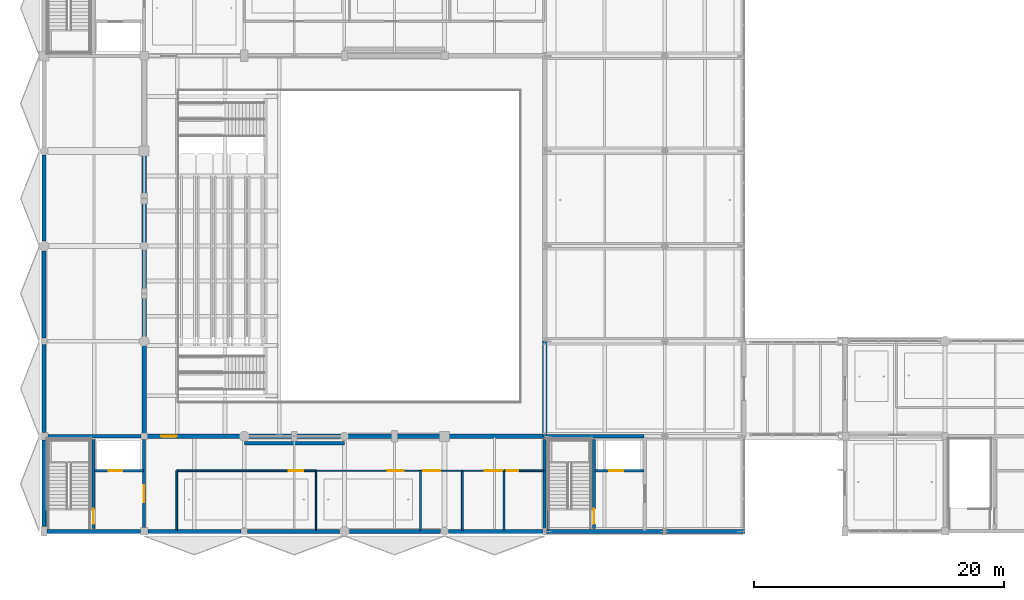
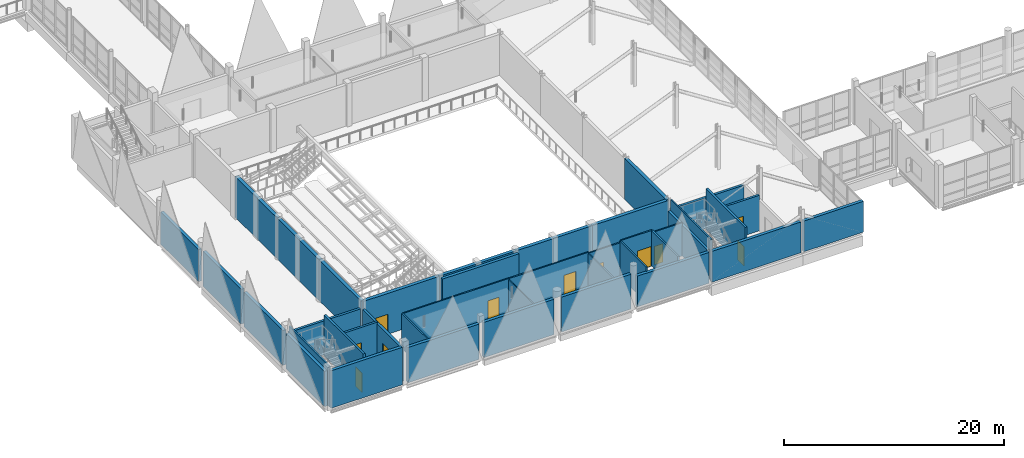
# One storey, part 89 of 141: 40 walls, 11 doors, 11 openings.
"""IFC4 building model written with IfcOpenShell, lengths in metres."""

from ifc_helpers import new_model, si_unit, direction, frame, frame_2d, origin, place, context, subcontext, project, spatial, rectangle, extrude, material, layer, layer_set, type_object, element, fill, save


model = new_model("IFC4")

# Units and contexts
model_context = context("Model", 3, precision=1e-05, world=origin(), true_north=direction((0.0, 1.0)))
body_context = subcontext(model_context, "Body", "Model", "MODEL_VIEW")
ifc_project = project(units=[si_unit("LENGTHUNIT", "METRE"), si_unit("AREAUNIT", "SQUARE_METRE"), si_unit("VOLUMEUNIT", "CUBIC_METRE"), si_unit("PLANEANGLEUNIT", "RADIAN"), si_unit("MASSUNIT", "GRAM", prefix="KILO")], contexts=[model_context])

# Site, building, storey
site_placement = place(None, origin())
site = spatial("IfcSite", under=ifc_project, at=site_placement, CompositionType="ELEMENT")
building_placement = place(site_placement, origin())
building = spatial("IfcBuilding", under=site, at=building_placement, Name="Khelvaren Railside Concert Hall", CompositionType="ELEMENT")
storey_placement = place(building_placement, frame((0.0, 0.0, 10.199951171875)))
storey = spatial("IfcBuildingStorey", under=building, at=storey_placement, Name="L02", CompositionType="ELEMENT", Elevation=10.199951171875)

# Walls
ifc_material_1 = material(Name="Concrete C40/50", Category="concrete")
ifc_layer_1 = layer(ifc_material_1, 0.139892578125)
ifc_layer_set_1 = layer_set([ifc_layer_1], Name="Concrete C40/50")
wall_type_1 = type_object("IfcWallType", Name="CW17", PredefinedType="SOLIDWALL", material=ifc_layer_set_1)
for number, where, z_axis, x_axis, name in (
    (1, (0.27490234375, 0.14990234375, 0.0), (0.0, 0.0, 1.0), (0.0, 1.0, 0.0), "Core Shaft Structural Liner Wall ST-01-L02"),
    (2, (40.27490234375, 0.14990234375, 0.0), (0.0, 0.0, 1.0), (0.0, 1.0, 0.0), "Core Shaft Structural Liner Wall ST-02-L02"),
):
    element("IfcWall", number, at=place(storey_placement, frame(where, z_axis=z_axis, x_axis=x_axis)), inside=storey, type_object=wall_type_1, Name=name, PredefinedType="SOLIDWALL", context=body_context, shape_type="SweptSolid", body=[
        extrude(rectangle(XDim=7.300048828125, YDim=0.139892578125, at=frame_2d((3.64990234375, 0.0))), origin(), (0.0, 0.0, 1.0), 4.52001953125),
    ])
ifc_layer_2 = layer(ifc_material_1, 0.25)
ifc_layer_set_2 = layer_set([ifc_layer_2], Name="Concrete C40/50")
wall_type_2 = type_object("IfcWallType", Name="CW82", PredefinedType="SOLIDWALL", material=ifc_layer_set_2)
wall_1_placement = place(storey_placement, frame((0.300048828125, 7.60009765625, 0.0), z_axis=(0.0, 0.0, 1.0), x_axis=(1.0, 0.0, 0.0)))
element("IfcWall", 3, at=wall_1_placement, inside=storey, type_object=wall_type_2, Name="Core Enclosure Wall CWALL-ST-01-L02-N", PredefinedType="SOLIDWALL", context=body_context, shape_type="SweptSolid", body=[
    extrude(rectangle(XDim=7.449951171875, YDim=0.25, at=frame_2d((3.72509765625, 0.0))), origin(), (0.0, 0.0, 1.0), 3.77001953125),
])

# Wall, opening, door
wall_2_placement = place(storey_placement, frame((8.0, 0.300048828125, 0.0), z_axis=(0.0, 0.0, 1.0), x_axis=(0.0, 1.0, 0.0)))
wall_2 = element("IfcWall", 4, at=wall_2_placement, inside=storey, type_object=wall_type_2, Name="Core Enclosure Wall CWALL-ST-01-L02-E", PredefinedType="SOLIDWALL", context=body_context, shape_type="SweptSolid", body=[
    extrude(rectangle(XDim=7.050048828125, YDim=0.25, at=frame_2d((3.52490234375, 0.0))), origin(), (0.0, 0.0, 1.0), 3.7451171875),
])
opening_1_placement = place(wall_2_placement, frame((2.050048828125, 0.0, 0.0)))
opening_1 = element("IfcOpeningElement", 5, at=opening_1_placement, cuts=wall_2, Name="Opening FDR34", PredefinedType="OPENING", context=body_context, shape_type="SweptSolid", body=[
    extrude(rectangle(XDim=1.35009765625, YDim=2.199951171875, at=frame_2d((0.675048828125, 1.10009765625))), frame((0.0, 0.135009765625, 0.0), z_axis=(0.0, -1.0, 0.0), x_axis=(1.0, 0.0, 0.0)), (0.0, 0.0, 1.0), 0.27001953125),
])
ifc_material_2 = material(Name="Acoustic fire-rated timber-core steel frame door", Category="steel")
door_type_1 = type_object("IfcDoorType", Name="FDR34", OperationType="NOTDEFINED", PredefinedType="DOOR", material=ifc_material_2)
door_1_placement = place(opening_1_placement, origin())
door_1 = element("IfcDoor", 6, at=door_1_placement, inside=storey, type_object=door_type_1, Name="Interior Door DR-ST-01-L02-LOB", OperationType="SINGLE_SWING_LEFT", OverallHeight=2.199951171875, OverallWidth=1.35009765625, PredefinedType="DOOR", context=body_context, shape_type="SweptSolid", body=[
    extrude(rectangle(XDim=1.35009765625, YDim=2.199951171875, at=frame_2d((0.675048828125, 1.10009765625))), frame((0.0, 0.02490234375, 0.0), z_axis=(0.0, -1.0, 0.0), x_axis=(1.0, 0.0, 0.0)), (0.0, 0.0, 1.0), 0.050048828125),
])
fill(opening_1, door_1)

# Walls
wall_3_placement = place(storey_placement, frame((40.0, 0.25, 0.0), z_axis=(0.0, 0.0, 1.0), x_axis=(0.0, 1.0, 0.0)))
element("IfcWall", 7, at=wall_3_placement, inside=storey, type_object=wall_type_2, Name="Core Enclosure Wall CWALL-ST-02-L02-W", PredefinedType="SOLIDWALL", context=body_context, shape_type="SweptSolid", body=[
    extrude(rectangle(XDim=7.10009765625, YDim=0.25, at=frame_2d((3.550048828125, 0.0))), origin(), (0.0, 0.0, 1.0), 3.41015625),
])
wall_4_placement = place(storey_placement, frame((40.14990234375, 7.60009765625, 0.0), z_axis=(0.0, 0.0, 1.0), x_axis=(1.0, 0.0, 0.0)))
element("IfcWall", 8, at=wall_4_placement, inside=storey, type_object=wall_type_2, Name="Core Enclosure Wall CWALL-ST-02-L02-N", PredefinedType="SOLIDWALL", context=body_context, shape_type="SweptSolid", body=[
    extrude(rectangle(XDim=7.77001953125, YDim=0.25, at=frame_2d((3.885009765625, 0.0))), origin(), (0.0, 0.0, 1.0), 3.41015625),
])

# Wall, opening, door
ifc_layer_3 = layer(ifc_material_1, 0.219970703125)
ifc_layer_set_3 = layer_set([ifc_layer_3], Name="Concrete C40/50")
wall_type_3 = type_object("IfcWallType", Name="CW97", PredefinedType="SOLIDWALL", material=ifc_layer_set_3)
wall_5_placement = place(storey_placement, frame((3.949951171875, 0.25, 0.0), z_axis=(0.0, 0.0, 1.0), x_axis=(0.0, 1.0, 0.0)))
wall_5 = element("IfcWall", 9, at=wall_5_placement, inside=storey, type_object=wall_type_3, Name="Core Enclosure Wall CWALL-ST-01-L02-MID", PredefinedType="SOLIDWALL", context=body_context, shape_type="SweptSolid", body=[
    extrude(rectangle(XDim=7.10009765625, YDim=0.219970703125, at=frame_2d((3.550048828125, 0.0))), origin(), (0.0, 0.0, 1.0), 4.52001953125),
])
opening_2_placement = place(wall_5_placement, frame((0.35009765625, 0.0, 0.0)))
opening_2 = element("IfcOpeningElement", 10, at=opening_2_placement, cuts=wall_5, Name="Opening FDR17", PredefinedType="OPENING", context=body_context, shape_type="SweptSolid", body=[
    extrude(rectangle(XDim=1.199951171875, YDim=2.14990234375, at=frame_2d((0.60009765625, 1.074951171875))), frame((0.0, 0.119873046875, 0.0), z_axis=(0.0, -1.0, 0.0), x_axis=(1.0, 0.0, 0.0)), (0.0, 0.0, 1.0), 0.239990234375),
])
door_type_2 = type_object("IfcDoorType", Name="FDR17", OperationType="NOTDEFINED", PredefinedType="DOOR", material=ifc_material_2)
door_2_placement = place(opening_2_placement, origin())
door_2 = element("IfcDoor", 11, at=door_2_placement, inside=storey, type_object=door_type_2, Name="Interior Door DR-ST-01-L02-ST", OperationType="SINGLE_SWING_RIGHT", OverallHeight=2.14990234375, OverallWidth=1.199951171875, PredefinedType="DOOR", context=body_context, shape_type="SweptSolid", body=[
    extrude(rectangle(XDim=1.199951171875, YDim=2.14990234375, at=frame_2d((0.60009765625, 1.074951171875))), frame((0.0, 0.02490234375, 0.0), z_axis=(0.0, -1.0, 0.0), x_axis=(1.0, 0.0, 0.0)), (0.0, 0.0, 1.0), 0.050048828125),
])
fill(opening_2, door_2)

wall_6_placement = place(storey_placement, frame((4.02001953125, 4.85009765625, 0.0), z_axis=(0.0, 0.0, 1.0), x_axis=(1.0, 0.0, 0.0)))
wall_6 = element("IfcWall", 12, at=wall_6_placement, inside=storey, type_object=wall_type_3, Name="Core Enclosure Wall CWALL-ST-01-L02-SHF", PredefinedType="SOLIDWALL", context=body_context, shape_type="SweptSolid", body=[
    extrude(rectangle(XDim=3.929931640625, YDim=0.219970703125, at=frame_2d((1.96484375, 0.0))), origin(), (0.0, 0.0, 1.0), 3.89501953125),
])
opening_3_placement = place(wall_6_placement, frame((1.14990234375, 0.0, 0.0)))
opening_3 = element("IfcOpeningElement", 13, at=opening_3_placement, cuts=wall_6, Name="Opening LD-PL-06", PredefinedType="OPENING", context=body_context, shape_type="SweptSolid", body=[
    extrude(rectangle(XDim=1.10009765625, YDim=2.199951171875, at=frame_2d((0.550048828125, 1.10009765625))), frame((0.0, 0.119873046875, 0.0), z_axis=(0.0, -1.0, 0.0), x_axis=(1.0, 0.0, 0.0)), (0.0, 0.0, 1.0), 0.239990234375),
])
ifc_material_3 = material(Name="Fire-rated brushed stainless steel landing door", Category="steel")
door_type_3 = type_object("IfcDoorType", Name="LD96", OperationType="DOUBLE_DOOR_SLIDING", PredefinedType="DOOR", material=ifc_material_3)
door_3_placement = place(opening_3_placement, origin())
door_3 = element("IfcDoor", 14, at=door_3_placement, inside=storey, type_object=door_type_3, Name="Lift Landing Door LD-PL-06-L02", OperationType="DOUBLE_DOOR_SLIDING", OverallHeight=2.199951171875, OverallWidth=1.10009765625, PredefinedType="DOOR", context=body_context, shape_type="SweptSolid", body=[
    extrude(rectangle(XDim=1.10009765625, YDim=2.199951171875, at=frame_2d((0.550048828125, 1.10009765625))), frame((0.0, 0.02490234375, 0.0), z_axis=(0.0, -1.0, 0.0), x_axis=(1.0, 0.0, 0.0)), (0.0, 0.0, 1.0), 0.050048828125),
])
fill(opening_3, door_3)

wall_7_placement = place(storey_placement, frame((43.949951171875, 0.25, 0.0), z_axis=(0.0, 0.0, 1.0), x_axis=(0.0, 1.0, 0.0)))
wall_7 = element("IfcWall", 15, at=wall_7_placement, inside=storey, type_object=wall_type_3, Name="Core Enclosure Wall CWALL-ST-02-L02-MID", PredefinedType="SOLIDWALL", context=body_context, shape_type="SweptSolid", body=[
    extrude(rectangle(XDim=7.10009765625, YDim=0.219970703125, at=frame_2d((3.550048828125, 0.0))), origin(), (0.0, 0.0, 1.0), 4.52001953125),
])
opening_4_placement = place(wall_7_placement, frame((0.35009765625, 0.0, 0.0)))
opening_4 = element("IfcOpeningElement", 16, at=opening_4_placement, cuts=wall_7, Name="Opening FDR17", PredefinedType="OPENING", context=body_context, shape_type="SweptSolid", body=[
    extrude(rectangle(XDim=1.199951171875, YDim=2.14990234375, at=frame_2d((0.60009765625, 1.074951171875))), frame((0.0, 0.119873046875, 0.0), z_axis=(0.0, -1.0, 0.0), x_axis=(1.0, 0.0, 0.0)), (0.0, 0.0, 1.0), 0.239990234375),
])
door_4_placement = place(opening_4_placement, origin())
door_4 = element("IfcDoor", 17, at=door_4_placement, inside=storey, type_object=door_type_2, Name="Interior Door DR-ST-02-L02-ST", OperationType="SINGLE_SWING_RIGHT", OverallHeight=2.14990234375, OverallWidth=1.199951171875, PredefinedType="DOOR", context=body_context, shape_type="SweptSolid", body=[
    extrude(rectangle(XDim=1.199951171875, YDim=2.14990234375, at=frame_2d((0.60009765625, 1.074951171875))), frame((0.0, 0.02490234375, 0.0), z_axis=(0.0, -1.0, 0.0), x_axis=(1.0, 0.0, 0.0)), (0.0, 0.0, 1.0), 0.050048828125),
])
fill(opening_4, door_4)

wall_8_placement = place(storey_placement, frame((44.02001953125, 4.85009765625, 0.0), z_axis=(0.0, 0.0, 1.0), x_axis=(1.0, 0.0, 0.0)))
wall_8 = element("IfcWall", 18, at=wall_8_placement, inside=storey, type_object=wall_type_3, Name="Core Enclosure Wall CWALL-ST-02-L02-SHF", PredefinedType="SOLIDWALL", context=body_context, shape_type="SweptSolid", body=[
    extrude(rectangle(XDim=3.929931640625, YDim=0.219970703125, at=frame_2d((1.96484375, 0.0))), origin(), (0.0, 0.0, 1.0), 3.93505859375),
])
opening_5_placement = place(wall_8_placement, frame((1.14990234375, 0.0, 0.0)))
opening_5 = element("IfcOpeningElement", 19, at=opening_5_placement, cuts=wall_8, Name="Opening LD-PL-01", PredefinedType="OPENING", context=body_context, shape_type="SweptSolid", body=[
    extrude(rectangle(XDim=1.10009765625, YDim=2.199951171875, at=frame_2d((0.550048828125, 1.10009765625))), frame((0.0, 0.119873046875, 0.0), z_axis=(0.0, -1.0, 0.0), x_axis=(1.0, 0.0, 0.0)), (0.0, 0.0, 1.0), 0.239990234375),
])
door_5_placement = place(opening_5_placement, origin())
door_5 = element("IfcDoor", 20, at=door_5_placement, inside=storey, type_object=door_type_3, Name="Lift Landing Door LD-PL-01-L02", OperationType="DOUBLE_DOOR_SLIDING", OverallHeight=2.199951171875, OverallWidth=1.10009765625, PredefinedType="DOOR", context=body_context, shape_type="SweptSolid", body=[
    extrude(rectangle(XDim=1.10009765625, YDim=2.199951171875, at=frame_2d((0.550048828125, 1.10009765625))), frame((0.0, 0.02490234375, 0.0), z_axis=(0.0, -1.0, 0.0), x_axis=(1.0, 0.0, 0.0)), (0.0, 0.0, 1.0), 0.050048828125),
])
fill(opening_5, door_5)

# Walls
ifc_material_4 = material(Name="Board-marked architectural concrete C40/50", Category="concrete")
ifc_layer_4 = layer(ifc_material_4, 0.320068359375)
ifc_layer_set_4 = layer_set([ifc_layer_4], Name="Board-marked architectural concrete C40/50")
wall_type_4 = type_object("IfcWallType", Name="EW39", PredefinedType="SOLIDWALL", material=ifc_layer_set_4)
wall_9_placement = place(storey_placement, frame((7.699951171875, 0.0, 0.0), z_axis=(0.0, 0.0, 1.0), x_axis=(-1.0, 0.0, 0.0)))
element("IfcWall", 21, at=wall_9_placement, inside=storey, type_object=wall_type_4, Name="V1 L02 Exterior Concrete Wall S-0", PredefinedType="SOLIDWALL", context=body_context, shape_type="SweptSolid", body=[
    extrude(rectangle(XDim=7.449951171875, YDim=0.320068359375, at=frame_2d((3.72509765625, 0.0))), origin(), (0.0, 0.0, 1.0), 4.16015625),
])
wall_10_placement = place(storey_placement, frame((15.75, 0.0, 0.0), z_axis=(0.0, 0.0, 1.0), x_axis=(-1.0, 0.0, 0.0)))
element("IfcWall", 22, at=wall_10_placement, inside=storey, type_object=wall_type_4, Name="V1 L02 Exterior Concrete Wall S-8", PredefinedType="SOLIDWALL", context=body_context, shape_type="SweptSolid", body=[
    extrude(rectangle(XDim=7.449951171875, YDim=0.320068359375, at=frame_2d((3.72509765625, 0.0))), origin(), (0.0, 0.0, 1.0), 3.91015625),
])
wall_11_placement = place(storey_placement, frame((23.60009765625, 0.0, 0.0), z_axis=(0.0, 0.0, 1.0), x_axis=(-1.0, 0.0, 0.0)))
element("IfcWall", 23, at=wall_11_placement, inside=storey, type_object=wall_type_4, Name="V1 L02 Exterior Concrete Wall S-16", PredefinedType="SOLIDWALL", context=body_context, shape_type="SweptSolid", body=[
    extrude(rectangle(XDim=7.35009765625, YDim=0.320068359375, at=frame_2d((3.675048828125, 0.0))), origin(), (0.0, 0.0, 1.0), 3.91015625),
])
wall_12_placement = place(storey_placement, frame((31.675048828125, 0.0, 0.0), z_axis=(0.0, 0.0, 1.0), x_axis=(-1.0, 0.0, 0.0)))
element("IfcWall", 24, at=wall_12_placement, inside=storey, type_object=wall_type_4, Name="V1 L02 Exterior Concrete Wall S-24", PredefinedType="SOLIDWALL", context=body_context, shape_type="SweptSolid", body=[
    extrude(rectangle(XDim=7.275146484375, YDim=0.320068359375, at=frame_2d((3.6376953125, 0.0))), origin(), (0.0, 0.0, 1.0), 3.860107421875),
])
wall_13_placement = place(storey_placement, frame((39.85009765625, 0.0, 0.0), z_axis=(0.0, 0.0, 1.0), x_axis=(-1.0, 0.0, 0.0)))
element("IfcWall", 25, at=wall_13_placement, inside=storey, type_object=wall_type_4, Name="V1 L02 Exterior Concrete Wall S-32", PredefinedType="SOLIDWALL", context=body_context, shape_type="SweptSolid", body=[
    extrude(rectangle(XDim=7.525146484375, YDim=0.320068359375, at=frame_2d((3.7626953125, 0.0))), origin(), (0.0, 0.0, 1.0), 3.41015625),
])
wall_14_placement = place(storey_placement, frame((49.449951171875, 0.0, 0.0), z_axis=(0.0, 0.0, 1.0), x_axis=(-1.0, 0.0, 0.0)))
element("IfcWall", 26, at=wall_14_placement, inside=storey, type_object=wall_type_4, Name="V1 L02 Exterior Concrete Wall S-40", PredefinedType="SOLIDWALL", context=body_context, shape_type="SweptSolid", body=[
    extrude(rectangle(XDim=9.300048828125, YDim=0.320068359375, at=frame_2d((4.64990234375, 0.0))), origin(), (0.0, 0.0, 1.0), 3.41015625),
])
wall_15_placement = place(storey_placement, frame((56.0, 0.0, 0.0), z_axis=(0.0, 0.0, 1.0), x_axis=(-1.0, 0.0, 0.0)))
element("IfcWall", 27, at=wall_15_placement, inside=storey, type_object=wall_type_4, Name="V1 L02 Exterior Concrete Wall S-50", PredefinedType="SOLIDWALL", context=body_context, shape_type="SweptSolid", body=[
    extrude(rectangle(XDim=6.25, YDim=0.320068359375, at=frame_2d((3.125, 0.0))), origin(), (0.0, 0.0, 1.0), 3.41015625),
])
wall_16_placement = place(storey_placement, frame((0.0, 0.375, 0.0), z_axis=(0.0, 0.0, 1.0), x_axis=(0.0, 1.0, 0.0)))
element("IfcWall", 28, at=wall_16_placement, inside=storey, type_object=wall_type_4, Name="V1 L02 Exterior Concrete Wall W-0", PredefinedType="SOLIDWALL", context=body_context, shape_type="SweptSolid", body=[
    extrude(rectangle(XDim=6.925048828125, YDim=0.320068359375, at=frame_2d((3.46240234375, 0.0))), origin(), (0.0, 0.0, 1.0), 3.91015625),
])
wall_17_placement = place(storey_placement, frame((0.0, 7.89990234375, 0.0), z_axis=(0.0, 0.0, 1.0), x_axis=(0.0, 1.0, 0.0)))
element("IfcWall", 29, at=wall_17_placement, inside=storey, type_object=wall_type_4, Name="V1 L02 Exterior Concrete Wall W-8", PredefinedType="SOLIDWALL", context=body_context, shape_type="SweptSolid", body=[
    extrude(rectangle(XDim=7.050048828125, YDim=0.320068359375, at=frame_2d((3.52490234375, 0.0))), origin(), (0.0, 0.0, 1.0), 3.860107421875),
])
wall_18_placement = place(storey_placement, frame((0.0, 15.449951171875, 0.0), z_axis=(0.0, 0.0, 1.0), x_axis=(0.0, 1.0, 0.0)))
element("IfcWall", 30, at=wall_18_placement, inside=storey, type_object=wall_type_4, Name="V1 L02 Exterior Concrete Wall W-15", PredefinedType="SOLIDWALL", context=body_context, shape_type="SweptSolid", body=[
    extrude(rectangle(XDim=6.949951171875, YDim=0.320068359375, at=frame_2d((3.47509765625, 0.0))), origin(), (0.0, 0.0, 1.0), 3.860107421875),
])
wall_19_placement = place(storey_placement, frame((0.0, 23.199951171875, 0.0), z_axis=(0.0, 0.0, 1.0), x_axis=(0.0, 1.0, 0.0)))
element("IfcWall", 31, at=wall_19_placement, inside=storey, type_object=wall_type_4, Name="V1 L02 Exterior Concrete Wall W-23", PredefinedType="SOLIDWALL", context=body_context, shape_type="SweptSolid", body=[
    extrude(rectangle(XDim=6.875, YDim=0.320068359375, at=frame_2d((3.4375, 0.0))), origin(), (0.0, 0.0, 1.0), 3.56005859375),
])
ifc_material_5 = material(Name="Acoustic double-stud gypsum partition", Category="gypsum")
ifc_layer_5 = layer(ifc_material_5, 0.1298828125)
ifc_layer_set_5 = layer_set([ifc_layer_5], Name="Acoustic double-stud gypsum partition")
wall_type_5 = type_object("IfcWallType", Name="PT31", PredefinedType="PARTITIONING", material=ifc_layer_set_5)
wall_20_placement = place(storey_placement, frame((30.0849609375, 0.080078125, 0.0), z_axis=(0.0, 0.0, 1.0), x_axis=(0.0, 1.0, 0.0)))
element("IfcWall", 32, at=wall_20_placement, inside=storey, type_object=wall_type_5, Name="Acoustic Partition Wall PW-V1-L02-S2-D02", PredefinedType="PARTITIONING", context=body_context, shape_type="SweptSolid", body=[
    extrude(rectangle(XDim=4.77001953125, YDim=0.1298828125, at=frame_2d((2.385009765625, 0.0))), origin(), (0.0, 0.0, 1.0), 3.7451171875),
])

# Wall, opening, door
ifc_layer_6 = layer(ifc_material_5, 0.139892578125)
ifc_layer_set_6 = layer_set([ifc_layer_6], Name="Acoustic double-stud gypsum partition")
wall_type_6 = type_object("IfcWallType", Name="PT55", PredefinedType="PARTITIONING", material=ifc_layer_set_6)
wall_21_placement = place(storey_placement, frame((10.60009765625, 4.85009765625, 0.0), z_axis=(0.0, 0.0, 1.0), x_axis=(1.0, 0.0, 0.0)))
wall_21 = element("IfcWall", 33, at=wall_21_placement, inside=storey, type_object=wall_type_6, Name="Acoustic Partition Wall PW-V1-L02-S2-C01", PredefinedType="PARTITIONING", context=body_context, shape_type="SweptSolid", body=[
    extrude(rectangle(XDim=11.1337890625, YDim=0.139892578125, at=frame_2d((5.56689453125, 0.0))), origin(), (0.0, 0.0, 1.0), 3.875),
])
opening_6_placement = place(wall_21_placement, frame((8.944580078125, 0.0, 0.0)))
opening_6 = element("IfcOpeningElement", 34, at=opening_6_placement, cuts=wall_21, Name="Opening IDR73", PredefinedType="OPENING", context=body_context, shape_type="SweptSolid", body=[
    extrude(rectangle(XDim=1.14990234375, YDim=2.14990234375, at=frame_2d((0.574951171875, 1.074951171875))), frame((0.0, 0.079833984375, 0.0), z_axis=(0.0, -1.0, 0.0), x_axis=(1.0, 0.0, 0.0)), (0.0, 0.0, 1.0), 0.159912109375),
])
ifc_material_6 = material(Name="Solid oak acoustic studio door", Category="wood")
door_type_4 = type_object("IfcDoorType", Name="IDR73", OperationType="NOTDEFINED", PredefinedType="DOOR", material=ifc_material_6)
door_6_placement = place(opening_6_placement, origin())
door_6 = element("IfcDoor", 35, at=door_6_placement, inside=storey, type_object=door_type_4, Name="Interior Door DR-V1-L02-S2-01", OperationType="SINGLE_SWING_RIGHT", OverallHeight=2.14990234375, OverallWidth=1.14990234375, PredefinedType="DOOR", context=body_context, shape_type="SweptSolid", body=[
    extrude(rectangle(XDim=1.14990234375, YDim=2.14990234375, at=frame_2d((0.574951171875, 1.074951171875))), frame((0.0, 0.02490234375, 0.0), z_axis=(0.0, -1.0, 0.0), x_axis=(1.0, 0.0, 0.0)), (0.0, 0.0, 1.0), 0.050048828125),
])
fill(opening_6, door_6)

wall_22_placement = place(storey_placement, frame((21.73388671875, 4.85009765625, 0.0), z_axis=(0.0, 0.0, 1.0), x_axis=(1.0, 0.0, 0.0)))
wall_22 = element("IfcWall", 36, at=wall_22_placement, inside=storey, type_object=wall_type_6, Name="Acoustic Partition Wall PW-V1-L02-S2-C02", PredefinedType="PARTITIONING", context=body_context, shape_type="SweptSolid", body=[
    extrude(rectangle(XDim=8.35107421875, YDim=0.139892578125, at=frame_2d((4.175537109375, 0.0))), origin(), (0.0, 0.0, 1.0), 3.85009765625),
])
opening_7_placement = place(wall_22_placement, frame((5.748779296875, 0.0, 0.0)))
opening_7 = element("IfcOpeningElement", 37, at=opening_7_placement, cuts=wall_22, Name="Opening IDR64", PredefinedType="OPENING", context=body_context, shape_type="SweptSolid", body=[
    extrude(rectangle(XDim=1.260009765625, YDim=2.199951171875, at=frame_2d((0.6298828125, 1.10009765625))), frame((0.0, 0.079833984375, 0.0), z_axis=(0.0, -1.0, 0.0), x_axis=(1.0, 0.0, 0.0)), (0.0, 0.0, 1.0), 0.159912109375),
])
door_type_5 = type_object("IfcDoorType", Name="IDR64", OperationType="NOTDEFINED", PredefinedType="DOOR", material=ifc_material_6)
door_7_placement = place(opening_7_placement, origin())
door_7 = element("IfcDoor", 38, at=door_7_placement, inside=storey, type_object=door_type_5, Name="Interior Door DR-V1-L02-S2-02", OperationType="SINGLE_SWING_LEFT", OverallHeight=2.199951171875, OverallWidth=1.260009765625, PredefinedType="DOOR", context=body_context, shape_type="SweptSolid", body=[
    extrude(rectangle(XDim=1.260009765625, YDim=2.199951171875, at=frame_2d((0.6298828125, 1.10009765625))), frame((0.0, 0.02490234375, 0.0), z_axis=(0.0, -1.0, 0.0), x_axis=(1.0, 0.0, 0.0)), (0.0, 0.0, 1.0), 0.050048828125),
])
fill(opening_7, door_7)

wall_23_placement = place(storey_placement, frame((30.0849609375, 4.85009765625, 0.0), z_axis=(0.0, 0.0, 1.0), x_axis=(1.0, 0.0, 0.0)))
wall_23 = element("IfcWall", 39, at=wall_23_placement, inside=storey, type_object=wall_type_6, Name="Acoustic Partition Wall PW-V1-L02-S2-C03", PredefinedType="PARTITIONING", context=body_context, shape_type="SweptSolid", body=[
    extrude(rectangle(XDim=3.340087890625, YDim=0.139892578125, at=frame_2d((1.669921875, 0.0))), origin(), (0.0, 0.0, 1.0), 3.7451171875),
])
opening_8_placement = place(wall_23_placement, frame((0.219970703125, 0.0, 0.0)))
opening_8 = element("IfcOpeningElement", 40, at=opening_8_placement, cuts=wall_23, Name="Opening IDR52", PredefinedType="OPENING", context=body_context, shape_type="SweptSolid", body=[
    extrude(rectangle(XDim=1.340087890625, YDim=2.199951171875, at=frame_2d((0.669921875, 1.10009765625))), frame((0.0, 0.079833984375, 0.0), z_axis=(0.0, -1.0, 0.0), x_axis=(1.0, 0.0, 0.0)), (0.0, 0.0, 1.0), 0.159912109375),
])
door_type_6 = type_object("IfcDoorType", Name="IDR52", OperationType="NOTDEFINED", PredefinedType="DOOR", material=ifc_material_6)
door_8_placement = place(opening_8_placement, origin())
door_8 = element("IfcDoor", 41, at=door_8_placement, inside=storey, type_object=door_type_6, Name="Interior Door DR-V1-L02-S2-03", OperationType="SINGLE_SWING_RIGHT", OverallHeight=2.199951171875, OverallWidth=1.340087890625, PredefinedType="DOOR", context=body_context, shape_type="SweptSolid", body=[
    extrude(rectangle(XDim=1.340087890625, YDim=2.199951171875, at=frame_2d((0.669921875, 1.10009765625))), frame((0.0, 0.02490234375, 0.0), z_axis=(0.0, -1.0, 0.0), x_axis=(1.0, 0.0, 0.0)), (0.0, 0.0, 1.0), 0.050048828125),
])
fill(opening_8, door_8)

wall_24_placement = place(storey_placement, frame((33.425048828125, 4.85009765625, 0.0), z_axis=(0.0, 0.0, 1.0), x_axis=(1.0, 0.0, 0.0)))
wall_24 = element("IfcWall", 42, at=wall_24_placement, inside=storey, type_object=wall_type_6, Name="Acoustic Partition Wall PW-V1-L02-S2-C04", PredefinedType="PARTITIONING", context=body_context, shape_type="SweptSolid", body=[
    extrude(rectangle(XDim=3.33984375, YDim=0.139892578125, at=frame_2d((1.669921875, 0.0))), origin(), (0.0, 0.0, 1.0), 3.955078125),
])
opening_9_placement = place(wall_24_placement, frame((1.780029296875, 0.0, 0.0)))
opening_9 = element("IfcOpeningElement", 43, at=opening_9_placement, cuts=wall_24, Name="Opening IDR61", PredefinedType="OPENING", context=body_context, shape_type="SweptSolid", body=[
    extrude(rectangle(XDim=1.419921875, YDim=2.199951171875, at=frame_2d((0.7099609375, 1.10009765625))), frame((0.0, 0.079833984375, 0.0), z_axis=(0.0, -1.0, 0.0), x_axis=(1.0, 0.0, 0.0)), (0.0, 0.0, 1.0), 0.159912109375),
])
door_type_7 = type_object("IfcDoorType", Name="IDR61", OperationType="NOTDEFINED", PredefinedType="DOOR", material=ifc_material_6)
door_9_placement = place(opening_9_placement, origin())
door_9 = element("IfcDoor", 44, at=door_9_placement, inside=storey, type_object=door_type_7, Name="Interior Door DR-V1-L02-S2-04", OperationType="SINGLE_SWING_LEFT", OverallHeight=2.199951171875, OverallWidth=1.419921875, PredefinedType="DOOR", context=body_context, shape_type="SweptSolid", body=[
    extrude(rectangle(XDim=1.419921875, YDim=2.199951171875, at=frame_2d((0.7099609375, 1.10009765625))), frame((0.0, 0.02490234375, 0.0), z_axis=(0.0, -1.0, 0.0), x_axis=(1.0, 0.0, 0.0)), (0.0, 0.0, 1.0), 0.050048828125),
])
fill(opening_9, door_9)

wall_25_placement = place(storey_placement, frame((36.764892578125, 4.85009765625, 0.0), z_axis=(0.0, 0.0, 1.0), x_axis=(1.0, 0.0, 0.0)))
wall_25 = element("IfcWall", 45, at=wall_25_placement, inside=storey, type_object=wall_type_6, Name="Acoustic Partition Wall PW-V1-L02-S2-C05", PredefinedType="PARTITIONING", context=body_context, shape_type="SweptSolid", body=[
    extrude(rectangle(XDim=3.155029296875, YDim=0.139892578125, at=frame_2d((1.57763671875, 0.0))), origin(), (0.0, 0.0, 1.0), 3.695068359375),
])
opening_10_placement = place(wall_25_placement, frame((0.219970703125, 0.0, 0.0)))
opening_10 = element("IfcOpeningElement", 46, at=opening_10_placement, cuts=wall_25, Name="Opening IDR68", PredefinedType="OPENING", context=body_context, shape_type="SweptSolid", body=[
    extrude(rectangle(XDim=0.919921875, YDim=2.050048828125, at=frame_2d((0.4599609375, 1.02490234375))), frame((0.0, 0.079833984375, 0.0), z_axis=(0.0, -1.0, 0.0), x_axis=(1.0, 0.0, 0.0)), (0.0, 0.0, 1.0), 0.159912109375),
])
door_type_8 = type_object("IfcDoorType", Name="IDR68", OperationType="NOTDEFINED", PredefinedType="DOOR", material=ifc_material_6)
door_10_placement = place(opening_10_placement, origin())
door_10 = element("IfcDoor", 47, at=door_10_placement, inside=storey, type_object=door_type_8, Name="Interior Door DR-V1-L02-S2-05", OperationType="SINGLE_SWING_RIGHT", OverallHeight=2.050048828125, OverallWidth=0.919921875, PredefinedType="DOOR", context=body_context, shape_type="SweptSolid", body=[
    extrude(rectangle(XDim=0.919921875, YDim=2.050048828125, at=frame_2d((0.4599609375, 1.02490234375))), frame((0.0, 0.02490234375, 0.0), z_axis=(0.0, -1.0, 0.0), x_axis=(1.0, 0.0, 0.0)), (0.0, 0.0, 1.0), 0.050048828125),
])
fill(opening_10, door_10)

# Walls
wall_26_placement = place(storey_placement, frame((10.60009765625, 0.080078125, 0.0), z_axis=(0.0, 0.0, 1.0), x_axis=(0.0, 1.0, 0.0)))
element("IfcWall", 48, at=wall_26_placement, inside=storey, type_object=wall_type_6, Name="Acoustic Partition Wall PW-V1-L02-S2-W0", PredefinedType="PARTITIONING", context=body_context, shape_type="SweptSolid", body=[
    extrude(rectangle(XDim=4.77001953125, YDim=0.139892578125, at=frame_2d((2.385009765625, 0.0))), origin(), (0.0, 0.0, 1.0), 3.89013671875),
])
ifc_layer_7 = layer(ifc_material_5, 0.14990234375)
ifc_layer_set_7 = layer_set([ifc_layer_7], Name="Acoustic double-stud gypsum partition")
wall_type_7 = type_object("IfcWallType", Name="PT66", PredefinedType="PARTITIONING", material=ifc_layer_set_7)
wall_27_placement = place(storey_placement, frame((33.425048828125, 0.080078125, 0.0), z_axis=(0.0, 0.0, 1.0), x_axis=(0.0, 1.0, 0.0)))
element("IfcWall", 49, at=wall_27_placement, inside=storey, type_object=wall_type_7, Name="Acoustic Partition Wall PW-V1-L02-S2-D03", PredefinedType="PARTITIONING", context=body_context, shape_type="SweptSolid", body=[
    extrude(rectangle(XDim=4.77001953125, YDim=0.14990234375, at=frame_2d((2.385009765625, 0.0))), origin(), (0.0, 0.0, 1.0), 3.9150390625),
])
ifc_layer_8 = layer(ifc_material_5, 0.110107421875)
ifc_layer_set_8 = layer_set([ifc_layer_8], Name="Acoustic double-stud gypsum partition")
wall_type_8 = type_object("IfcWallType", Name="PT80", PredefinedType="PARTITIONING", material=ifc_layer_set_8)
wall_28_placement = place(storey_placement, frame((21.73388671875, 0.080078125, 0.0), z_axis=(0.0, 0.0, 1.0), x_axis=(0.0, 1.0, 0.0)))
element("IfcWall", 50, at=wall_28_placement, inside=storey, type_object=wall_type_8, Name="Acoustic Partition Wall PW-V1-L02-S2-D01", PredefinedType="PARTITIONING", context=body_context, shape_type="SweptSolid", body=[
    extrude(rectangle(XDim=4.77001953125, YDim=0.110107421875, at=frame_2d((2.385009765625, 0.0))), origin(), (0.0, 0.0, 1.0), 3.77001953125),
])
ifc_layer_9 = layer(ifc_material_5, 0.169921875)
ifc_layer_set_9 = layer_set([ifc_layer_9], Name="Acoustic double-stud gypsum partition")
wall_type_9 = type_object("IfcWallType", Name="PT94", PredefinedType="PARTITIONING", material=ifc_layer_set_9)
wall_29_placement = place(storey_placement, frame((36.764892578125, 0.080078125, 0.0), z_axis=(0.0, 0.0, 1.0), x_axis=(0.0, 1.0, 0.0)))
element("IfcWall", 51, at=wall_29_placement, inside=storey, type_object=wall_type_9, Name="Acoustic Partition Wall PW-V1-L02-S2-D04", PredefinedType="PARTITIONING", context=body_context, shape_type="SweptSolid", body=[
    extrude(rectangle(XDim=4.77001953125, YDim=0.169921875, at=frame_2d((2.385009765625, 0.0))), origin(), (0.0, 0.0, 1.0), 3.9150390625),
])
ifc_layer_10 = layer(ifc_material_1, 0.300048828125)
ifc_layer_set_10 = layer_set([ifc_layer_10], Name="Concrete C40/50")
wall_type_10 = type_object("IfcWallType", Name="SW62", PredefinedType="SHEAR", material=ifc_layer_set_10)
wall_30_placement = place(storey_placement, frame((16.0, 7.050048828125, 0.0), z_axis=(0.0, 0.0, 1.0), x_axis=(1.0, 0.0, 0.0)))
element("IfcWall", 52, at=wall_30_placement, inside=storey, type_object=wall_type_10, Name="V1 Outer Box Isolation Wall L02-1", PredefinedType="SHEAR", context=body_context, shape_type="SweptSolid", body=[
    extrude(rectangle(XDim=8.0, YDim=0.300048828125, at=frame_2d((4.0, 0.0))), origin(), (0.0, 0.0, 1.0), 4.52001953125),
])

# Wall, opening, door
ifc_layer_11 = layer(ifc_material_1, 0.35009765625)
ifc_layer_set_11 = layer_set([ifc_layer_11], Name="Concrete C40/50")
wall_type_11 = type_object("IfcWallType", Name="SW91", PredefinedType="SHEAR", material=ifc_layer_set_11)
wall_31_placement = place(storey_placement, frame((8.0, 7.60009765625, 0.0), z_axis=(0.0, 0.0, 1.0), x_axis=(1.0, 0.0, 0.0)))
wall_31 = element("IfcWall", 53, at=wall_31_placement, inside=storey, type_object=wall_type_11, Name="V1 Acoustic Box Shear Wall L02 S1", PredefinedType="SHEAR", context=body_context, shape_type="SweptSolid", body=[
    extrude(rectangle(XDim=8.0, YDim=0.35009765625, at=frame_2d((4.0, 0.0))), origin(), (0.0, 0.0, 1.0), 4.52001953125),
])
opening_11_placement = place(wall_31_placement, frame((1.35009765625, 0.0, 0.0)))
opening_11 = element("IfcOpeningElement", 54, at=opening_11_placement, cuts=wall_31, Name="Opening ADR42", PredefinedType="OPENING", context=body_context, shape_type="SweptSolid", body=[
    extrude(rectangle(XDim=1.25, YDim=2.199951171875, at=frame_2d((0.625, 1.10009765625))), frame((0.0, 0.18505859375, 0.0), z_axis=(0.0, -1.0, 0.0), x_axis=(1.0, 0.0, 0.0)), (0.0, 0.0, 1.0), 0.3701171875),
])
ifc_material_7 = material(Name="Heavy acoustic double sound-lock fire door", Category="wood")
door_type_9 = type_object("IfcDoorType", Name="ADR42", OperationType="DOUBLE_DOOR_SINGLE_SWING", PredefinedType="DOOR", material=ifc_material_7)
door_11_placement = place(opening_11_placement, origin())
door_11 = element("IfcDoor", 55, at=door_11_placement, inside=storey, type_object=door_type_9, Name="Main Concert Hall Acoustic Sound-Lock Door L02-S1", OperationType="DOUBLE_DOOR_SINGLE_SWING", OverallHeight=2.199951171875, OverallWidth=1.25, PredefinedType="DOOR", context=body_context, shape_type="SweptSolid", body=[
    extrude(rectangle(XDim=1.25, YDim=2.199951171875, at=frame_2d((0.625, 1.10009765625))), frame((0.0, 0.02490234375, 0.0), z_axis=(0.0, -1.0, 0.0), x_axis=(1.0, 0.0, 0.0)), (0.0, 0.0, 1.0), 0.050048828125),
])
fill(opening_11, door_11)

# Walls
for number, where, z_axis, x_axis, name in (
    (56, (16.0, 7.60009765625, 0.0), (0.0, 0.0, 1.0), (1.0, 0.0, 0.0), "V1 Acoustic Box Shear Wall L02 S2"),
    (57, (24.0, 7.60009765625, 0.0), (0.0, 0.0, 1.0), (1.0, 0.0, 0.0), "V1 Acoustic Box Shear Wall L02 S3"),
    (58, (32.0, 7.60009765625, 0.0), (0.0, 0.0, 1.0), (1.0, 0.0, 0.0), "V1 Acoustic Box Shear Wall L02 S4"),
):
    element("IfcWall", number, at=place(storey_placement, frame(where, z_axis=z_axis, x_axis=x_axis)), inside=storey, type_object=wall_type_11, Name=name, PredefinedType="SHEAR", context=body_context, shape_type="SweptSolid", body=[
        extrude(rectangle(XDim=8.0, YDim=0.35009765625, at=frame_2d((4.0, 0.0))), origin(), (0.0, 0.0, 1.0), 4.52001953125),
    ])
wall_32_placement = place(storey_placement, frame((8.0, 7.60009765625, 0.0), z_axis=(0.0, 0.0, 1.0), x_axis=(0.0, 1.0, 0.0)))
element("IfcWall", 59, at=wall_32_placement, inside=storey, type_object=wall_type_11, Name="V1 Acoustic Box Shear Wall L02 W1", PredefinedType="SHEAR", context=body_context, shape_type="SweptSolid", body=[
    extrude(rectangle(XDim=7.599853515625, YDim=0.35009765625, at=frame_2d((3.7998046875, 0.0))), origin(), (0.0, 0.0, 1.0), 4.52001953125),
])
wall_33_placement = place(storey_placement, frame((8.0, 15.199951171875, 0.0), z_axis=(0.0, 0.0, 1.0), x_axis=(0.0, 1.0, 0.0)))
element("IfcWall", 60, at=wall_33_placement, inside=storey, type_object=wall_type_11, Name="V1 Acoustic Box Shear Wall L02 W2", PredefinedType="SHEAR", context=body_context, shape_type="SweptSolid", body=[
    extrude(rectangle(XDim=7.60009765625, YDim=0.35009765625, at=frame_2d((3.800048828125, 0.0))), origin(), (0.0, 0.0, 1.0), 4.52001953125),
])
for number, where, z_axis, x_axis, name in (
    (61, (8.0, 22.800048828125, 0.0), (0.0, 0.0, 1.0), (0.0, 1.0, 0.0), "V1 Acoustic Box Shear Wall L02 W3"),
    (62, (40.0, 7.60009765625, 0.0), (0.0, 0.0, 1.0), (0.0, 1.0, 0.0), "V1 Acoustic Box Shear Wall L02 E1"),
):
    element("IfcWall", number, at=place(storey_placement, frame(where, z_axis=z_axis, x_axis=x_axis)), inside=storey, type_object=wall_type_11, Name=name, PredefinedType="SHEAR", context=body_context, shape_type="SweptSolid", body=[
        extrude(rectangle(XDim=7.599853515625, YDim=0.35009765625, at=frame_2d((3.7998046875, 0.0))), origin(), (0.0, 0.0, 1.0), 4.52001953125),
    ])

save(model, "model.ifc")
